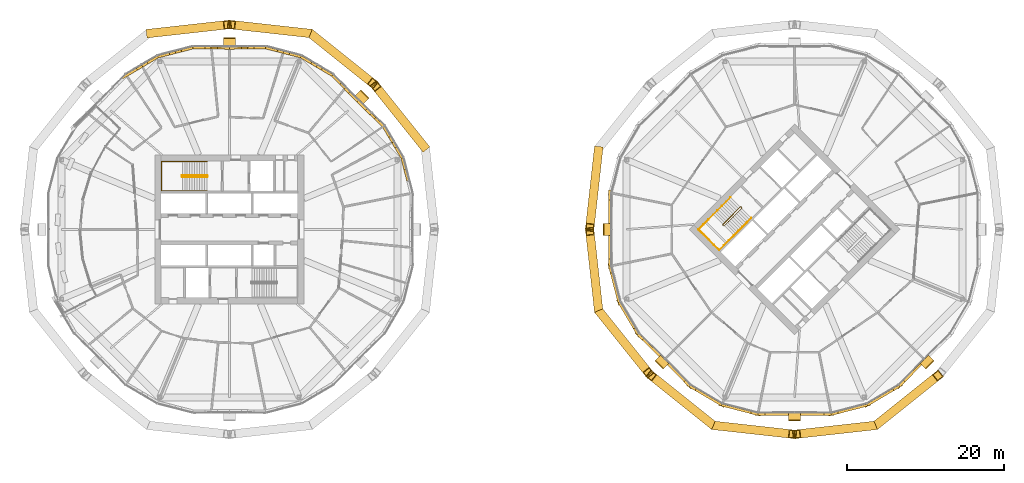
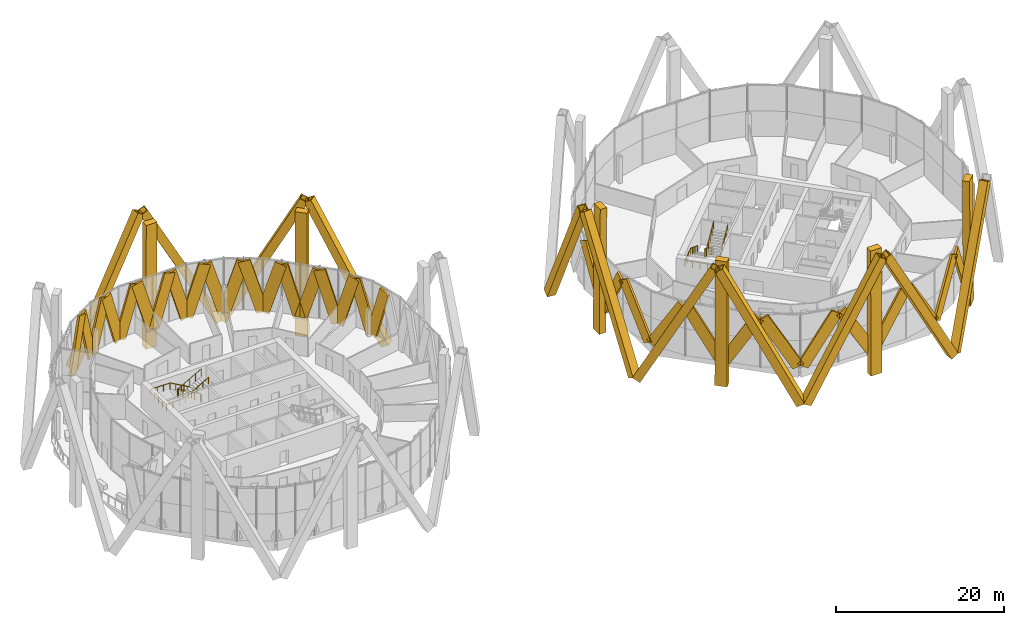
# One storey, part 28 of 30: 49 coverings, 4 railings.
"""IFC4 building model written with IfcOpenShell, lengths in metres."""

from ifc_helpers import new_model, si_unit, direction, frame, origin, origin_2d, place, context, subcontext, project, spatial, rectangle, hollow_rectangle, circle, extrude, material, material_profile, profile_set, type_object, element, save


model = new_model("IFC4")

# Units and contexts
model_context = context("Model", 3, precision=1e-05, world=origin(), true_north=direction((0.0, 1.0)))
body_context = subcontext(model_context, "Body", "Model", "MODEL_VIEW")
ifc_project = project(units=[si_unit("LENGTHUNIT", "METRE"), si_unit("AREAUNIT", "SQUARE_METRE"), si_unit("VOLUMEUNIT", "CUBIC_METRE"), si_unit("PLANEANGLEUNIT", "RADIAN"), si_unit("MASSUNIT", "GRAM", prefix="KILO")], contexts=[model_context])

# Site, building, storey
site_placement = place(None, origin())
site = spatial("IfcSite", under=ifc_project, at=site_placement, CompositionType="ELEMENT")
building_placement = place(site_placement, origin())
building = spatial("IfcBuilding", under=site, at=building_placement, Name="Ogive Gate Towers", CompositionType="ELEMENT")
storey_placement = place(building_placement, frame((0.0, 0.0, 99.60009765625)))
storey = spatial("IfcBuildingStorey", under=building, at=storey_placement, Name="L23", CompositionType="ELEMENT", Elevation=99.60009765625)

# Coverings
ifc_material_1 = material(Name="Pale metal aluminium", Category="aluminium")
ifc_material_profile_1 = material_profile(ifc_material_1, rectangle(XDim=1.5, YDim=0.89990234375, at=origin_2d()), Name="1500 x 900 pale metal aluminium")
ifc_profile_set_1 = profile_set([ifc_material_profile_1], Name="Pale metal aluminium")
covering_type_1 = type_object("IfcCoveringType", Name="Crease colonnette 1500 x 900", PredefinedType="CLADDING", material=ifc_profile_set_1)
for number, where, z_axis, x_axis, name in (
    (1, (-19.043701171875, 16.956298828125, -3.2001953125), (-0.005071492745, -0.005071492745, 0.999974279631), (0.707106781187, -0.707106781187, 0.0), "Crease colonnette"),
    (2, (-36.0, 23.97998046875, -3.2001953125), (0.0, -0.007175622536, 0.999974254889), (1.0, 0.0, 0.0), "Crease colonnette"),
    (3, (12.02001953125, 0.0, -3.2001953125), (0.007175622536, 0.0, 0.999974254889), (0.0, 1.0, 0.0), "Crease colonnette"),
    (4, (19.043701171875, -16.956298828125, -3.2001953125), (0.005071492745, 0.005071492745, 0.999974279631), (-0.707106781187, 0.707106781187, 0.0), "Crease colonnette"),
    (5, (36.0, -23.97998046875, -3.2001953125), (0.0, 0.007175622536, 0.999974254889), (-1.0, 0.0, 0.0), "Crease colonnette"),
    (6, (52.956298828125, -16.956298828125, -3.2001953125), (-0.005071492745, 0.005071492745, 0.999974279631), (-0.707106781187, -0.707106781187, 0.0), "Crease colonnette"),
):
    element("IfcCovering", number, at=place(storey_placement, frame(where, z_axis=z_axis, x_axis=x_axis)), inside=storey, type_object=covering_type_1, Name=name, PredefinedType="CLADDING", context=body_context, shape_type="SweptSolid", body=[
        extrude(rectangle(XDim=1.5, YDim=0.89990234375, at=origin_2d()), origin(), (0.0, 0.0, 1.0), 18.1005859375),
    ])
ifc_material_2 = material(Name="Pale metal aluminium cladding", Category="aluminium")
ifc_material_profile_2 = material_profile(ifc_material_2, hollow_rectangle(XDim=1.10009765625, YDim=1.10009765625, WallThickness=0.10009765625, at=origin_2d()), Name="1100 x 1100 pale metal casing")
ifc_profile_set_2 = profile_set([ifc_material_profile_2], Name="Pale metal aluminium cladding")
covering_type_2 = type_object("IfcCoveringType", Name="Diagrid casing 1100 x 1100", PredefinedType="CLADDING", material=ifc_profile_set_2)
for number, where, z_axis, x_axis, name in (
    (7, (-11.198486328125, 10.542236328125, -3.414794921875), (-0.294122355712, 0.367510539247, 0.882285692626), (-0.780750734849, -0.62484261221, 0.0), "Diagrid casing"),
    (8, (-25.457763671875, 24.801513671875, -3.414794921875), (0.367510539247, -0.294122355712, 0.882285692626), (0.62484261221, 0.780750734849, 0.0), "Diagrid casing"),
    (9, (-25.917236328125, 24.99169921875, -3.414794921875), (-0.467845256186, 0.051893681789, 0.882285589849), (-0.110244494465, -0.993904498149, 0.0), "Diagrid casing"),
    (10, (-46.082763671875, 24.99169921875, -3.414794921875), (0.467845256186, 0.051893681789, 0.882285589849), (-0.110244494465, 0.993904498149, 0.0), "Diagrid casing"),
    (11, (11.00830078125, 10.082763671875, -3.414794921875), (-0.051893681789, -0.467845256186, 0.882285589849), (0.993904498149, -0.110244494465, 0.0), "Diagrid casing"),
    (12, (11.00830078125, -10.082763671875, -3.414794921875), (-0.051893681789, 0.467845256186, 0.882285589849), (-0.993904498149, -0.110244494465, 0.0), "Diagrid casing"),
    (13, (11.198486328125, -10.542236328125, -3.414794921875), (0.294122355712, -0.367510539247, 0.882285692626), (0.780750734849, 0.62484261221, 0.0), "Diagrid casing"),
    (14, (25.457763671875, -24.801513671875, -3.414794921875), (-0.367510539247, 0.294122355712, 0.882285692626), (-0.62484261221, -0.780750734849, 0.0), "Diagrid casing"),
    (15, (25.917236328125, -24.99169921875, -3.414794921875), (0.467845256186, -0.051893681789, 0.882285589849), (0.110244494465, 0.993904498149, 0.0), "Diagrid casing"),
    (16, (46.082763671875, -24.99169921875, -3.414794921875), (-0.467845256186, -0.051893681789, 0.882285589849), (0.110244494465, -0.993904498149, 0.0), "Diagrid casing"),
    (17, (46.542236328125, -24.801513671875, -3.414794921875), (0.367510539247, 0.294122355712, 0.882285692626), (-0.62484261221, 0.780750734849, 0.0), "Diagrid casing"),
):
    element("IfcCovering", number, at=place(storey_placement, frame(where, z_axis=z_axis, x_axis=x_axis)), inside=storey, type_object=covering_type_2, Name=name, PredefinedType="CLADDING", context=body_context, shape_type="SweptSolid", body=[
        extrude(hollow_rectangle(XDim=1.10009765625, YDim=1.10009765625, WallThickness=0.10009765625, at=origin_2d()), origin(), (0.0, 0.0, 1.0), 21.00146484375),
    ])
ifc_material_profile_3 = material_profile(ifc_material_1, rectangle(XDim=0.300048828125, YDim=1.5, at=origin_2d()), Name="1500 x 300 pale metal aluminium")
ifc_profile_set_3 = profile_set([ifc_material_profile_3], Name="Pale metal aluminium")
covering_type_3 = type_object("IfcCoveringType", Name="Facade fin 1500 x 300", PredefinedType="CLADDING", material=ifc_profile_set_3)
covering_1_placement = place(storey_placement, frame((-19.618896484375, 16.288330078125, -0.136474609375), z_axis=(0.203432553912, -0.199560066539, 0.958535850061), x_axis=(0.700279630907, 0.713868642354, 0.0)))
element("IfcCovering", 18, at=covering_1_placement, inside=storey, type_object=covering_type_3, Name="Facade fin", PredefinedType="CLADDING", context=body_context, shape_type="SweptSolid", body=[
    extrude(rectangle(XDim=0.300048828125, YDim=1.5, at=origin_2d()), origin(), (0.0, 0.0, 1.0), 7.69140625),
])
covering_2_placement = place(storey_placement, frame((-16.398681640625, 13.12939453125, -0.136474609375), z_axis=(-0.203462981693, 0.199558777832, 0.958529660089), x_axis=(-0.700223950819, -0.713923258271, 0.0)))
element("IfcCovering", 19, at=covering_2_placement, inside=storey, type_object=covering_type_3, Name="Facade fin", PredefinedType="CLADDING", context=body_context, shape_type="SweptSolid", body=[
    extrude(rectangle(XDim=0.300048828125, YDim=1.5, at=origin_2d()), origin(), (0.0, 0.0, 1.0), 7.691650390625),
])
for number, where, z_axis, x_axis, name in (
    (20, (-16.35400390625, 13.07177734375, -0.1337890625), (0.146654346537, -0.248347808383, 0.957505022814), (0.86107323281, 0.508480961038, 0.0), "Facade fin"),
    (21, (-14.03076171875, 9.137939453125, -0.1337890625), (-0.146654346537, 0.248347808383, 0.957505022814), (-0.86107323281, -0.508480961038, 0.0), "Facade fin"),
    (22, (-14.00390625, 9.0732421875, -0.1337890625), (0.071899240348, -0.279315539621, 0.957503696371), (0.968429977882, 0.249285735531, 0.0), "Facade fin"),
):
    element("IfcCovering", number, at=place(storey_placement, frame(where, z_axis=z_axis, x_axis=x_axis)), inside=storey, type_object=covering_type_3, Name=name, PredefinedType="CLADDING", context=body_context, shape_type="SweptSolid", body=[
        extrude(rectangle(XDim=0.300048828125, YDim=1.5, at=origin_2d()), origin(), (0.0, 0.0, 1.0), 7.6943359375),
    ])
for number, where, z_axis, x_axis, name in (
    (23, (-35.934326171875, 23.1005859375, -0.136474609375), (0.284946347857, 0.002729796805, 0.958539580326), (-0.009579598291, 0.999954114596, 0.0), "Facade fin"),
    (24, (-31.423583984375, 23.143798828125, -0.136474609375), (-0.284975512026, -0.002729772113, 0.958530910242), (0.009578531381, -0.999954124816, 0.0), "Facade fin"),
):
    element("IfcCovering", number, at=place(storey_placement, frame(where, z_axis=z_axis, x_axis=x_axis)), inside=storey, type_object=covering_type_3, Name=name, PredefinedType="CLADDING", context=body_context, shape_type="SweptSolid", body=[
        extrude(rectangle(XDim=0.300048828125, YDim=1.5, at=origin_2d()), origin(), (0.0, 0.0, 1.0), 7.69140625),
    ])
for number, where, z_axis, x_axis, name in (
    (25, (-31.351318359375, 23.135009765625, -0.1337890625), (0.279315539621, -0.071899240348, 0.957503696371), (0.249285735531, 0.968429977882, 0.0), "Facade fin"),
    (26, (-26.9267578125, 21.99609375, -0.1337890625), (-0.279315539621, 0.071899240348, 0.957503696371), (-0.249285735531, -0.968429977882, 0.0), "Facade fin"),
    (27, (-26.862060546875, 21.96923828125, -0.1337890625), (0.248347808383, -0.146654346537, 0.957505022814), (0.508480961038, 0.86107323281, 0.0), "Facade fin"),
    (28, (-22.92822265625, 19.64599609375, -0.1337890625), (-0.248347808383, 0.146654346537, 0.957505022814), (-0.508480961038, -0.86107323281, 0.0), "Facade fin"),
):
    element("IfcCovering", number, at=place(storey_placement, frame(where, z_axis=z_axis, x_axis=x_axis)), inside=storey, type_object=covering_type_3, Name=name, PredefinedType="CLADDING", context=body_context, shape_type="SweptSolid", body=[
        extrude(rectangle(XDim=0.300048828125, YDim=1.5, at=origin_2d()), origin(), (0.0, 0.0, 1.0), 7.6943359375),
    ])
covering_3_placement = place(storey_placement, frame((-22.87060546875, 19.601318359375, -0.136474609375), z_axis=(0.199558777832, -0.203462981693, 0.958529660089), x_axis=(0.713923258271, 0.700223950819, 0.0)))
element("IfcCovering", 29, at=covering_3_placement, inside=storey, type_object=covering_type_3, Name="Facade fin", PredefinedType="CLADDING", context=body_context, shape_type="SweptSolid", body=[
    extrude(rectangle(XDim=0.300048828125, YDim=1.5, at=origin_2d()), origin(), (0.0, 0.0, 1.0), 7.691650390625),
])
covering_4_placement = place(storey_placement, frame((-19.711669921875, 16.381103515625, -0.136474609375), z_axis=(-0.199560066539, 0.203432553912, 0.958535850061), x_axis=(-0.713868642354, -0.700279630907, 0.0)))
element("IfcCovering", 30, at=covering_4_placement, inside=storey, type_object=covering_type_3, Name="Facade fin", PredefinedType="CLADDING", context=body_context, shape_type="SweptSolid", body=[
    extrude(rectangle(XDim=0.300048828125, YDim=1.5, at=origin_2d()), origin(), (0.0, 0.0, 1.0), 7.69140625),
])
for number, where, z_axis, x_axis, name in (
    (31, (-49.07177734375, 19.64599609375, -0.1337890625), (0.248347808383, 0.146654346537, 0.957505022814), (-0.508480961038, 0.86107323281, 0.0), "Facade fin"),
    (32, (-45.137939453125, 21.96923828125, -0.1337890625), (-0.248347808383, -0.146654346537, 0.957505022814), (0.508480961038, -0.86107323281, 0.0), "Facade fin"),
    (33, (-45.0732421875, 21.99609375, -0.1337890625), (0.279315539621, 0.071899240348, 0.957503696371), (-0.249285735531, 0.968429977882, 0.0), "Facade fin"),
    (34, (-40.648681640625, 23.135009765625, -0.1337890625), (-0.279315539621, -0.071899240348, 0.957503696371), (0.249285735531, -0.968429977882, 0.0), "Facade fin"),
):
    element("IfcCovering", number, at=place(storey_placement, frame(where, z_axis=z_axis, x_axis=x_axis)), inside=storey, type_object=covering_type_3, Name=name, PredefinedType="CLADDING", context=body_context, shape_type="SweptSolid", body=[
        extrude(rectangle(XDim=0.300048828125, YDim=1.5, at=origin_2d()), origin(), (0.0, 0.0, 1.0), 7.6943359375),
    ])
for number, where, z_axis, x_axis, name in (
    (35, (-40.576416015625, 23.143798828125, -0.136474609375), (0.284975512026, -0.002729772113, 0.958530910242), (0.009578531381, 0.999954124816, 0.0), "Facade fin"),
    (36, (-36.065673828125, 23.1005859375, -0.136474609375), (-0.284946347857, 0.002729796805, 0.958539580326), (-0.009579598291, -0.999954114596, 0.0), "Facade fin"),
):
    element("IfcCovering", number, at=place(storey_placement, frame(where, z_axis=z_axis, x_axis=x_axis)), inside=storey, type_object=covering_type_3, Name=name, PredefinedType="CLADDING", context=body_context, shape_type="SweptSolid", body=[
        extrude(rectangle(XDim=0.300048828125, YDim=1.5, at=origin_2d()), origin(), (0.0, 0.0, 1.0), 7.69140625),
    ])
for number, where, z_axis, x_axis, name in (
    (37, (12.477783203125, 0.225830078125, 0.033203125), (-0.004892967513, 0.511076423809, 0.859521348133), (-0.999954173877, -0.00957340832, 0.0), "Facade fin"),
    (38, (12.477783203125, -0.225830078125, 0.033203125), (-0.004892967513, -0.511076423809, 0.859521348133), (0.999954173877, -0.00957340832, 0.0), "Facade fin"),
):
    element("IfcCovering", number, at=place(storey_placement, frame(where, z_axis=z_axis, x_axis=x_axis)), inside=storey, type_object=covering_type_3, Name=name, PredefinedType="CLADDING", context=body_context, shape_type="SweptSolid", body=[
        extrude(rectangle(XDim=0.300048828125, YDim=1.5, at=origin_2d()), origin(), (0.0, 0.0, 1.0), 8.182861328125),
    ])
for number, where, z_axis, x_axis, name in (
    (39, (13.55517578125, -9.01513671875, 0.036865234375), (-0.128609963562, 0.499736470308, 0.856576288206), (-0.968443227462, -0.249234257645, 0.0), "Facade fin"),
    (40, (13.75439453125, -9.49609375, 0.036865234375), (0.262427507757, -0.444314147192, 0.856572671627), (0.861029855402, 0.508554410174, 0.0), "Facade fin"),
):
    element("IfcCovering", number, at=place(storey_placement, frame(where, z_axis=z_axis, x_axis=x_axis)), inside=storey, type_object=covering_type_3, Name=name, PredefinedType="CLADDING", context=body_context, shape_type="SweptSolid", body=[
        extrude(rectangle(XDim=0.300048828125, YDim=1.5, at=origin_2d()), origin(), (0.0, 0.0, 1.0), 8.20263671875),
    ])
for number, where, z_axis, x_axis, name in (
    (41, (19.20751953125, -16.472900390625, 0.033203125), (-0.364856107894, 0.357904478722, 0.859525685854), (-0.700273322803, -0.713874830324, 0.0), "Facade fin"),
    (42, (19.527099609375, -16.79248046875, 0.033203125), (0.357904478722, -0.364856107894, 0.859525685854), (0.713874830324, 0.700273322803, 0.0), "Facade fin"),
):
    element("IfcCovering", number, at=place(storey_placement, frame(where, z_axis=z_axis, x_axis=x_axis)), inside=storey, type_object=covering_type_3, Name=name, PredefinedType="CLADDING", context=body_context, shape_type="SweptSolid", body=[
        extrude(rectangle(XDim=0.300048828125, YDim=1.5, at=origin_2d()), origin(), (0.0, 0.0, 1.0), 8.182861328125),
    ])
for number, where, z_axis, x_axis, name in (
    (43, (26.50390625, -22.24560546875, 0.036865234375), (-0.444314147192, 0.262427507757, 0.856572671627), (-0.508554410174, -0.861029855402, 0.0), "Facade fin"),
    (44, (26.98486328125, -22.44482421875, 0.036865234375), (0.499736470308, -0.128609963562, 0.856576288206), (0.249234257645, 0.968443227462, 0.0), "Facade fin"),
):
    element("IfcCovering", number, at=place(storey_placement, frame(where, z_axis=z_axis, x_axis=x_axis)), inside=storey, type_object=covering_type_3, Name=name, PredefinedType="CLADDING", context=body_context, shape_type="SweptSolid", body=[
        extrude(rectangle(XDim=0.300048828125, YDim=1.5, at=origin_2d()), origin(), (0.0, 0.0, 1.0), 8.20263671875),
    ])
for number, where, z_axis, x_axis, name in (
    (45, (35.774169921875, -23.522216796875, 0.033203125), (-0.511076423809, -0.004892967513, 0.859521348133), (0.00957340832, -0.999954173877, 0.0), "Facade fin"),
    (46, (36.225830078125, -23.522216796875, 0.033203125), (0.511076423809, -0.004892967513, 0.859521348133), (0.00957340832, 0.999954173877, 0.0), "Facade fin"),
):
    element("IfcCovering", number, at=place(storey_placement, frame(where, z_axis=z_axis, x_axis=x_axis)), inside=storey, type_object=covering_type_3, Name=name, PredefinedType="CLADDING", context=body_context, shape_type="SweptSolid", body=[
        extrude(rectangle(XDim=0.300048828125, YDim=1.5, at=origin_2d()), origin(), (0.0, 0.0, 1.0), 8.182861328125),
    ])
for number, where, z_axis, x_axis, name in (
    (47, (45.01513671875, -22.44482421875, 0.036865234375), (-0.499736470308, -0.128609963562, 0.856576288206), (0.249234257645, -0.968443227462, 0.0), "Facade fin"),
    (48, (45.49609375, -22.24560546875, 0.036865234375), (0.444314147192, 0.262427507757, 0.856572671627), (-0.508554410174, 0.861029855402, 0.0), "Facade fin"),
):
    element("IfcCovering", number, at=place(storey_placement, frame(where, z_axis=z_axis, x_axis=x_axis)), inside=storey, type_object=covering_type_3, Name=name, PredefinedType="CLADDING", context=body_context, shape_type="SweptSolid", body=[
        extrude(rectangle(XDim=0.300048828125, YDim=1.5, at=origin_2d()), origin(), (0.0, 0.0, 1.0), 8.20263671875),
    ])
covering_5_placement = place(storey_placement, frame((52.472900390625, -16.79248046875, 0.033203125), z_axis=(-0.357904478722, -0.364856107894, 0.859525685854), x_axis=(0.713874830324, -0.700273322803, 0.0)))
element("IfcCovering", 49, at=covering_5_placement, inside=storey, type_object=covering_type_3, Name="Facade fin", PredefinedType="CLADDING", context=body_context, shape_type="SweptSolid", body=[
    extrude(rectangle(XDim=0.300048828125, YDim=1.5, at=origin_2d()), origin(), (0.0, 0.0, 1.0), 8.182861328125),
])

# Railings
ifc_material_3 = material(Name="Stainless steel", Category="steel")
railing_type_1 = type_object("IfcRailingType", Name="Stair guard 1100", PredefinedType="GUARDRAIL", material=ifc_material_3)
railing_1_placement = place(storey_placement, frame((-38.81494140625, 6.860107421875, 0.0)))
element("IfcRailing", 50, at=railing_1_placement, inside=storey, type_object=railing_type_1, Name="L23 ST1 stair guard 1", PredefinedType="GUARDRAIL", context=body_context, shape_type="SweptSolid", body=[
    extrude(circle(Radius=0.02392578125, at=origin_2d()), frame((0.0, 0.0, 1.076171875), z_axis=(0.0, -1.0, 0.0), x_axis=(1.0, 0.0, 0.0)), (0.0, 0.0, 1.0), 0.14501953125),
    extrude(circle(Radius=0.02392578125, at=origin_2d()), frame((0.0, -0.14501953125, 1.076171875), z_axis=(-0.186679794065, 0.726685247142, 0.661119660934), x_axis=(-0.968551454522, -0.24881334358, 0.0)), (0.0, 0.0, 1.0), 0.26806640625),
    extrude(circle(Radius=0.02392578125, at=origin_2d()), frame((-0.050048828125, 0.0498046875, 1.25341796875), z_axis=(-0.870572935281, 0.0, 0.492039393094), x_axis=(0.0, -1.0, 0.0)), (0.0, 0.0, 1.0), 3.602783203125),
    extrude(circle(Radius=0.02392578125, at=origin_2d()), frame((-3.1865234375, 0.0498046875, 3.02587890625), z_axis=(-0.707106781187, -0.707106781187, 0.0), x_axis=(0.707106781187, -0.707106781187, 0.0)), (0.0, 0.0, 1.0), 0.0703125),
    extrude(circle(Radius=0.02392578125, at=origin_2d()), frame((-3.236328125, 0.0, 3.02587890625), z_axis=(0.0, -1.0, 0.0), x_axis=(1.0, 0.0, 0.0)), (0.0, 0.0, 1.0), 0.14501953125),
    extrude(circle(Radius=0.02392578125, at=origin_2d()), frame((-3.236328125, -0.14501953125, 3.02587890625), z_axis=(0.261041864531, -0.262321481514, 0.929001929653), x_axis=(0.708833529934, 0.705375805398, 0.0)), (0.0, 0.0, 1.0), 0.190673828125),
    extrude(circle(Radius=0.02392578125, at=origin_2d()), frame((-3.1865234375, -0.195068359375, 3.203125), z_axis=(0.870572935281, 0.0, 0.492039393094), x_axis=(0.0, 1.0, 0.0)), (0.0, 0.0, 1.0), 3.602783203125),
    extrude(circle(Radius=0.02099609375, at=origin_2d()), origin(), (0.0, 0.0, 1.0), 1.052001953125),
    extrude(circle(Radius=0.02099609375, at=origin_2d()), frame((0.0, -0.14501953125, 0.0)), (0.0, 0.0, 1.0), 1.052001953125),
    extrude(circle(Radius=0.02099609375, at=origin_2d()), frame((-0.050048828125, 0.0498046875, 0.17724609375)), (0.0, 0.0, 1.0), 1.052001953125),
    extrude(circle(Radius=0.02099609375, at=origin_2d()), frame((-0.834228515625, 0.0498046875, 0.620361328125)), (0.0, 0.0, 1.0), 1.052001953125),
    extrude(circle(Radius=0.02099609375, at=origin_2d()), frame((-1.6181640625, 0.0498046875, 1.0634765625)), (0.0, 0.0, 1.0), 1.052001953125),
    extrude(circle(Radius=0.02099609375, at=origin_2d()), frame((-2.40234375, 0.0498046875, 1.5068359375)), (0.0, 0.0, 1.0), 1.052001953125),
    extrude(circle(Radius=0.02099609375, at=origin_2d()), frame((-3.1865234375, 0.0498046875, 1.949951171875)), (0.0, 0.0, 1.0), 1.052001953125),
    extrude(circle(Radius=0.02099609375, at=origin_2d()), frame((-3.236328125, 0.0, 1.949951171875)), (0.0, 0.0, 1.0), 1.052001953125),
    extrude(circle(Radius=0.02099609375, at=origin_2d()), frame((-3.236328125, -0.14501953125, 1.949951171875)), (0.0, 0.0, 1.0), 1.052001953125),
    extrude(circle(Radius=0.02099609375, at=origin_2d()), frame((-3.1865234375, -0.195068359375, 2.127197265625)), (0.0, 0.0, 1.0), 1.052001953125),
    extrude(circle(Radius=0.02099609375, at=origin_2d()), frame((-2.40234375, -0.195068359375, 2.5703125)), (0.0, 0.0, 1.0), 1.052001953125),
    extrude(circle(Radius=0.02099609375, at=origin_2d()), frame((-1.6181640625, -0.195068359375, 3.013671875)), (0.0, 0.0, 1.0), 1.052001953125),
    extrude(circle(Radius=0.02099609375, at=origin_2d()), frame((-0.834228515625, -0.195068359375, 3.456787109375)), (0.0, 0.0, 1.0), 1.052001953125),
    extrude(circle(Radius=0.02099609375, at=origin_2d()), frame((-0.050048828125, -0.195068359375, 3.89990234375)), (0.0, 0.0, 1.0), 1.052001953125),
])
railing_2_placement = place(storey_placement, frame((29.15869140625, 2.8603515625, 0.0)))
element("IfcRailing", 51, at=railing_2_placement, inside=storey, type_object=railing_type_1, Name="L23 ST1 stair guard 1", PredefinedType="GUARDRAIL", context=body_context, shape_type="SweptSolid", body=[
    extrude(circle(Radius=0.02392578125, at=origin_2d()), frame((0.0, 0.0, 1.076171875), z_axis=(0.707106781187, -0.707106781187, 0.0), x_axis=(0.707106781187, 0.707106781187, 0.0)), (0.0, 0.0, 1.0), 0.14501953125),
    extrude(circle(Radius=0.02392578125, at=origin_2d()), frame((0.1025390625, -0.1025390625, 1.076171875), z_axis=(-0.645571447971, 0.382425963537, 0.661050594114), x_axis=(-0.509669330572, -0.860370369942, 0.0)), (0.0, 0.0, 1.0), 0.26806640625),
    extrude(circle(Radius=0.02392578125, at=origin_2d()), frame((-0.070556640625, 0.0, 1.25341796875), z_axis=(-0.61558473135, -0.61558473135, 0.49204763698), x_axis=(0.707106781187, -0.707106781187, 0.0)), (0.0, 0.0, 1.0), 3.602783203125),
    extrude(circle(Radius=0.02392578125, at=origin_2d()), frame((-2.288330078125, -2.2177734375, 3.02587890625), z_axis=(0.0, -1.0, 0.0), x_axis=(1.0, 0.0, 0.0)), (0.0, 0.0, 1.0), 0.07080078125),
    extrude(circle(Radius=0.02392578125, at=origin_2d()), frame((-2.288330078125, -2.28857421875, 3.02587890625), z_axis=(0.707106781187, -0.707106781187, 0.0), x_axis=(0.707106781187, 0.707106781187, 0.0)), (0.0, 0.0, 1.0), 0.14501953125),
    extrude(circle(Radius=0.02392578125, at=origin_2d()), frame((-2.185791015625, -2.39111328125, 3.02587890625), z_axis=(0.369845645421, 0.0, 0.929093213065), x_axis=(0.0, 1.0, 0.0)), (0.0, 0.0, 1.0), 0.190673828125),
    extrude(circle(Radius=0.02392578125, at=origin_2d()), frame((-2.115234375, -2.39111328125, 3.203125), z_axis=(0.61558473135, 0.61558473135, 0.49204763698), x_axis=(-0.707106781187, 0.707106781187, 0.0)), (0.0, 0.0, 1.0), 3.602783203125),
    extrude(circle(Radius=0.02099609375, at=origin_2d()), origin(), (0.0, 0.0, 1.0), 1.052001953125),
    extrude(circle(Radius=0.02099609375, at=origin_2d()), frame((0.1025390625, -0.1025390625, 0.0)), (0.0, 0.0, 1.0), 1.052001953125),
    extrude(circle(Radius=0.02099609375, at=origin_2d()), frame((-0.070556640625, 0.0, 0.17724609375)), (0.0, 0.0, 1.0), 1.052001953125),
    extrude(circle(Radius=0.02099609375, at=origin_2d()), frame((-0.625, -0.554443359375, 0.620361328125)), (0.0, 0.0, 1.0), 1.052001953125),
    extrude(circle(Radius=0.02099609375, at=origin_2d()), frame((-1.179443359375, -1.10888671875, 1.0634765625)), (0.0, 0.0, 1.0), 1.052001953125),
    extrude(circle(Radius=0.02099609375, at=origin_2d()), frame((-1.73388671875, -1.663330078125, 1.5068359375)), (0.0, 0.0, 1.0), 1.052001953125),
    extrude(circle(Radius=0.02099609375, at=origin_2d()), frame((-2.288330078125, -2.2177734375, 1.949951171875)), (0.0, 0.0, 1.0), 1.052001953125),
    extrude(circle(Radius=0.02099609375, at=origin_2d()), frame((-2.288330078125, -2.28857421875, 1.949951171875)), (0.0, 0.0, 1.0), 1.052001953125),
    extrude(circle(Radius=0.02099609375, at=origin_2d()), frame((-2.185791015625, -2.39111328125, 1.949951171875)), (0.0, 0.0, 1.0), 1.052001953125),
    extrude(circle(Radius=0.02099609375, at=origin_2d()), frame((-2.115234375, -2.39111328125, 2.127197265625)), (0.0, 0.0, 1.0), 1.052001953125),
    extrude(circle(Radius=0.02099609375, at=origin_2d()), frame((-1.560791015625, -1.836669921875, 2.5703125)), (0.0, 0.0, 1.0), 1.052001953125),
    extrude(circle(Radius=0.02099609375, at=origin_2d()), frame((-1.00634765625, -1.2822265625, 3.013671875)), (0.0, 0.0, 1.0), 1.052001953125),
    extrude(circle(Radius=0.02099609375, at=origin_2d()), frame((-0.451904296875, -0.727783203125, 3.456787109375)), (0.0, 0.0, 1.0), 1.052001953125),
    extrude(circle(Radius=0.02099609375, at=origin_2d()), frame((0.1025390625, -0.17333984375, 3.89990234375)), (0.0, 0.0, 1.0), 1.052001953125),
])
railing_type_2 = type_object("IfcRailingType", Name="Stair handrail 900", PredefinedType="HANDRAIL", material=ifc_material_3)
railing_3_placement = place(storey_placement, frame((-38.864990234375, 8.64990234375, 0.17724609375)))
element("IfcRailing", 52, at=railing_3_placement, inside=storey, type_object=railing_type_2, Name="L23 ST1 stair handrail 1", PredefinedType="HANDRAIL", context=body_context, shape_type="SweptSolid", body=[
    extrude(circle(Radius=0.02392578125, at=origin_2d()), frame((0.0, 0.0, 0.8759765625), z_axis=(-0.870572935281, 0.0, 0.492039393094), x_axis=(0.0, -1.0, 0.0)), (0.0, 0.0, 1.0), 3.602783203125),
    extrude(circle(Radius=0.02392578125, at=origin_2d()), frame((-3.136474609375, 0.0, 2.6484375), z_axis=(-1.0, 0.0, 0.0), x_axis=(0.0, -1.0, 0.0)), (0.0, 0.0, 1.0), 2.6484375),
    extrude(circle(Radius=0.02392578125, at=origin_2d()), frame((-5.784912109375, 0.0, 2.6484375), z_axis=(0.0, -1.0, 0.0), x_axis=(1.0, 0.0, 0.0)), (0.0, 0.0, 1.0), 3.724853515625),
    extrude(circle(Radius=0.02392578125, at=origin_2d()), frame((-5.784912109375, -3.724853515625, 2.6484375), z_axis=(0.997768031817, 0.0, 0.066775404784), x_axis=(0.0, 1.0, 0.0)), (0.0, 0.0, 1.0), 2.654296875),
    extrude(circle(Radius=0.02392578125, at=origin_2d()), frame((-3.136474609375, -3.724853515625, 2.82568359375), z_axis=(0.870572935281, 0.0, 0.492039393094), x_axis=(0.0, 1.0, 0.0)), (0.0, 0.0, 1.0), 3.602783203125),
    extrude(circle(Radius=0.02099609375, at=origin_2d()), origin(), (0.0, 0.0, 1.0), 0.851806640625),
    extrude(circle(Radius=0.02099609375, at=origin_2d()), frame((-0.7841796875, 0.0, 0.443115234375)), (0.0, 0.0, 1.0), 0.851806640625),
    extrude(circle(Radius=0.02099609375, at=origin_2d()), frame((-1.568359375, 0.0, 0.88623046875)), (0.0, 0.0, 1.0), 0.851806640625),
    extrude(circle(Radius=0.02099609375, at=origin_2d()), frame((-2.352294921875, 0.0, 1.32958984375)), (0.0, 0.0, 1.0), 0.851806640625),
    extrude(circle(Radius=0.02099609375, at=origin_2d()), frame((-3.136474609375, 0.0, 1.772705078125)), (0.0, 0.0, 1.0), 0.851806640625),
    extrude(circle(Radius=0.02099609375, at=origin_2d()), frame((-4.019287109375, 0.0, 1.772705078125)), (0.0, 0.0, 1.0), 0.851806640625),
    extrude(circle(Radius=0.02099609375, at=origin_2d()), frame((-4.902099609375, 0.0, 1.772705078125)), (0.0, 0.0, 1.0), 0.851806640625),
    extrude(circle(Radius=0.02099609375, at=origin_2d()), frame((-5.784912109375, 0.0, 1.772705078125)), (0.0, 0.0, 1.0), 0.851806640625),
    extrude(circle(Radius=0.02099609375, at=origin_2d()), frame((-5.784912109375, -0.93115234375, 1.772705078125)), (0.0, 0.0, 1.0), 0.851806640625),
    extrude(circle(Radius=0.02099609375, at=origin_2d()), frame((-5.784912109375, -1.8623046875, 1.772705078125)), (0.0, 0.0, 1.0), 0.851806640625),
    extrude(circle(Radius=0.02099609375, at=origin_2d()), frame((-5.784912109375, -2.793701171875, 1.772705078125)), (0.0, 0.0, 1.0), 0.851806640625),
    extrude(circle(Radius=0.02099609375, at=origin_2d()), frame((-5.784912109375, -3.724853515625, 1.772705078125)), (0.0, 0.0, 1.0), 0.851806640625),
    extrude(circle(Radius=0.02099609375, at=origin_2d()), frame((-4.902099609375, -3.724853515625, 1.831787109375)), (0.0, 0.0, 1.0), 0.851806640625),
    extrude(circle(Radius=0.02099609375, at=origin_2d()), frame((-4.019287109375, -3.724853515625, 1.890869140625)), (0.0, 0.0, 1.0), 0.851806640625),
    extrude(circle(Radius=0.02099609375, at=origin_2d()), frame((-3.136474609375, -3.724853515625, 1.949951171875)), (0.0, 0.0, 1.0), 0.851806640625),
    extrude(circle(Radius=0.02099609375, at=origin_2d()), frame((-2.352294921875, -3.724853515625, 2.39306640625)), (0.0, 0.0, 1.0), 0.851806640625),
    extrude(circle(Radius=0.02099609375, at=origin_2d()), frame((-1.568359375, -3.724853515625, 2.83642578125)), (0.0, 0.0, 1.0), 0.851806640625),
    extrude(circle(Radius=0.02099609375, at=origin_2d()), frame((-0.7841796875, -3.724853515625, 3.279541015625)), (0.0, 0.0, 1.0), 0.851806640625),
    extrude(circle(Radius=0.02099609375, at=origin_2d()), frame((0.0, -3.724853515625, 3.72265625)), (0.0, 0.0, 1.0), 0.851806640625),
])
railing_4_placement = place(storey_placement, frame((27.857666015625, 4.090576171875, 0.17724609375)))
element("IfcRailing", 53, at=railing_4_placement, inside=storey, type_object=railing_type_2, Name="L23 ST1 stair handrail 1", PredefinedType="HANDRAIL", context=body_context, shape_type="SweptSolid", body=[
    extrude(circle(Radius=0.02392578125, at=origin_2d()), frame((0.0, 0.0, 0.8759765625), z_axis=(-0.61558473135, -0.61558473135, 0.49204763698), x_axis=(0.707106781187, -0.707106781187, 0.0)), (0.0, 0.0, 1.0), 3.602783203125),
    extrude(circle(Radius=0.02392578125, at=origin_2d()), frame((-2.2177734375, -2.2177734375, 2.6484375), z_axis=(-0.707106781187, -0.707106781187, 0.0), x_axis=(0.707106781187, -0.707106781187, 0.0)), (0.0, 0.0, 1.0), 2.6484375),
    extrude(circle(Radius=0.02392578125, at=origin_2d()), frame((-4.090576171875, -4.090576171875, 2.6484375), z_axis=(0.707106781187, -0.707106781187, 0.0), x_axis=(0.707106781187, 0.707106781187, 0.0)), (0.0, 0.0, 1.0), 3.72509765625),
    extrude(circle(Radius=0.02392578125, at=origin_2d()), frame((-1.45654296875, -6.724609375, 2.6484375), z_axis=(0.705482886452, 0.705574853978, 0.066768423356), x_axis=(-0.70715286629, 0.70706069308, 0.0)), (0.0, 0.0, 1.0), 2.654541015625),
    extrude(circle(Radius=0.02392578125, at=origin_2d()), frame((0.416259765625, -4.8515625, 2.82568359375), z_axis=(0.615610411033, 0.615542642384, 0.4920681632), x_axis=(-0.70706785752, 0.70714570271, 0.0)), (0.0, 0.0, 1.0), 3.6025390625),
    extrude(circle(Radius=0.02099609375, at=origin_2d()), origin(), (0.0, 0.0, 1.0), 0.851806640625),
    extrude(circle(Radius=0.02099609375, at=origin_2d()), frame((-0.554443359375, -0.554443359375, 0.443115234375)), (0.0, 0.0, 1.0), 0.851806640625),
    extrude(circle(Radius=0.02099609375, at=origin_2d()), frame((-1.10888671875, -1.10888671875, 0.88623046875)), (0.0, 0.0, 1.0), 0.851806640625),
    extrude(circle(Radius=0.02099609375, at=origin_2d()), frame((-1.663330078125, -1.663330078125, 1.32958984375)), (0.0, 0.0, 1.0), 0.851806640625),
    extrude(circle(Radius=0.02099609375, at=origin_2d()), frame((-2.2177734375, -2.2177734375, 1.772705078125)), (0.0, 0.0, 1.0), 0.851806640625),
    extrude(circle(Radius=0.02099609375, at=origin_2d()), frame((-2.842041015625, -2.842041015625, 1.772705078125)), (0.0, 0.0, 1.0), 0.851806640625),
    extrude(circle(Radius=0.02099609375, at=origin_2d()), frame((-3.46630859375, -3.46630859375, 1.772705078125)), (0.0, 0.0, 1.0), 0.851806640625),
    extrude(circle(Radius=0.02099609375, at=origin_2d()), frame((-4.090576171875, -4.090576171875, 1.772705078125)), (0.0, 0.0, 1.0), 0.851806640625),
    extrude(circle(Radius=0.02099609375, at=origin_2d()), frame((-3.43212890625, -4.7490234375, 1.772705078125)), (0.0, 0.0, 1.0), 0.851806640625),
    extrude(circle(Radius=0.02099609375, at=origin_2d()), frame((-2.7734375, -5.40771484375, 1.772705078125)), (0.0, 0.0, 1.0), 0.851806640625),
    extrude(circle(Radius=0.02099609375, at=origin_2d()), frame((-2.114990234375, -6.066162109375, 1.772705078125)), (0.0, 0.0, 1.0), 0.851806640625),
    extrude(circle(Radius=0.02099609375, at=origin_2d()), frame((-1.45654296875, -6.724609375, 1.772705078125)), (0.0, 0.0, 1.0), 0.851806640625),
    extrude(circle(Radius=0.02099609375, at=origin_2d()), frame((-0.832275390625, -6.100341796875, 1.831787109375)), (0.0, 0.0, 1.0), 0.851806640625),
    extrude(circle(Radius=0.02099609375, at=origin_2d()), frame((-0.2080078125, -5.475830078125, 1.890869140625)), (0.0, 0.0, 1.0), 0.851806640625),
    extrude(circle(Radius=0.02099609375, at=origin_2d()), frame((0.416259765625, -4.8515625, 1.949951171875)), (0.0, 0.0, 1.0), 0.851806640625),
    extrude(circle(Radius=0.02099609375, at=origin_2d()), frame((0.970703125, -4.297119140625, 2.39306640625)), (0.0, 0.0, 1.0), 0.851806640625),
    extrude(circle(Radius=0.02099609375, at=origin_2d()), frame((1.525146484375, -3.74267578125, 2.83642578125)), (0.0, 0.0, 1.0), 0.851806640625),
    extrude(circle(Radius=0.02099609375, at=origin_2d()), frame((2.07958984375, -3.1884765625, 3.279541015625)), (0.0, 0.0, 1.0), 0.851806640625),
    extrude(circle(Radius=0.02099609375, at=origin_2d()), frame((2.634033203125, -2.634033203125, 3.72265625)), (0.0, 0.0, 1.0), 0.851806640625),
])

save(model, "model.ifc")
